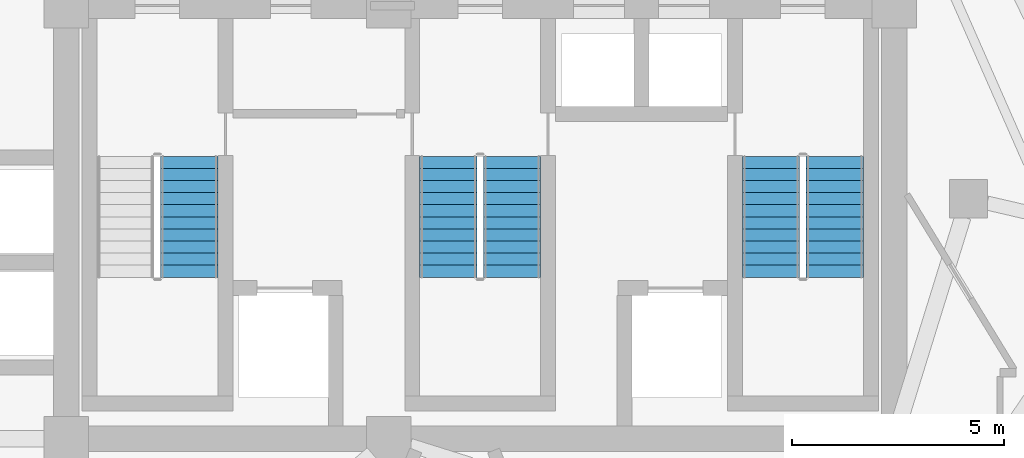
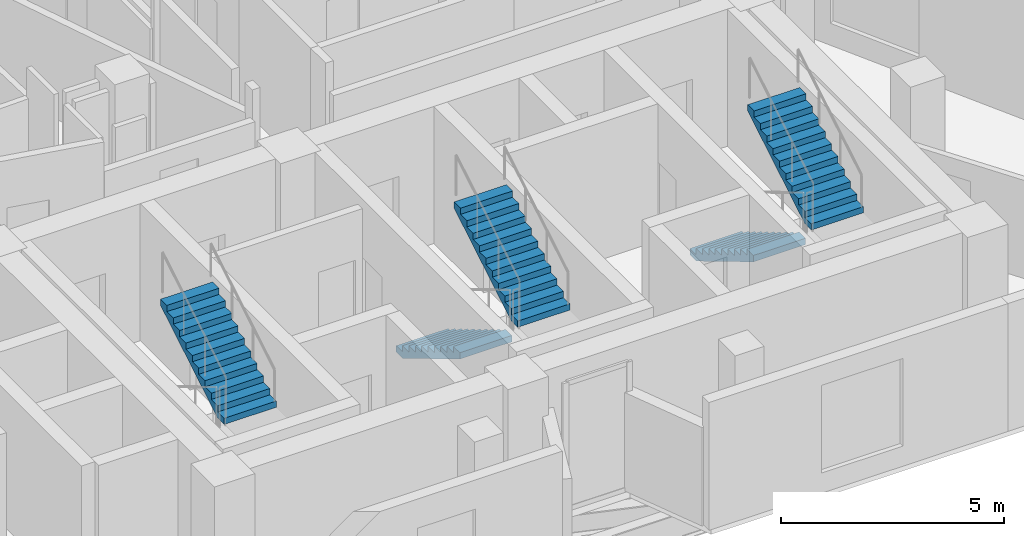
# One storey, part 9 of 10: 5 stair flights, 3 elements without a shape of their own.
"""IFC4 building model written with IfcOpenShell, lengths in metres."""

from ifc_helpers import new_model, si_unit, direction, frame, origin, place, context, subcontext, project, spatial, polyline, outline, extrude, material, type_object, element, aggregate, save


model = new_model("IFC4")

# Units and contexts
model_context = context("Model", 3, precision=1e-05, world=origin(), true_north=direction((0.0, 1.0)))
body_context = subcontext(model_context, "Body", "Model", "MODEL_VIEW")
ifc_project = project(units=[si_unit("LENGTHUNIT", "METRE"), si_unit("AREAUNIT", "SQUARE_METRE"), si_unit("VOLUMEUNIT", "CUBIC_METRE"), si_unit("PLANEANGLEUNIT", "RADIAN"), si_unit("MASSUNIT", "GRAM", prefix="KILO")], contexts=[model_context])

# Site, building, storey
site_placement = place(None, origin())
site = spatial("IfcSite", under=ifc_project, at=site_placement, CompositionType="ELEMENT")
building_placement = place(site_placement, origin())
building = spatial("IfcBuilding", under=site, at=building_placement, Name="Almagre Mirador Tower", CompositionType="ELEMENT")
storey_placement = place(building_placement, frame((0.0, 0.0, 278.25)))
storey = spatial("IfcBuildingStorey", under=building, at=storey_placement, Name="L72", CompositionType="ELEMENT", Elevation=278.25)

# Stair, stair flight
ifc_material_1 = material(Name="Concrete C45/55", Category="concrete")
stair_type = type_object("IfcStairType", Name="STR-DL-3750", PredefinedType="HALF_TURN_STAIR", material=ifc_material_1)
stair_1_placement = place(storey_placement, origin())
stair_1 = element("IfcStair", 1, at=stair_1_placement, inside=storey, type_object=stair_type, Name="L72 Protected exit stair ST-1", PredefinedType="HALF_TURN_STAIR")
ifc_material_2 = material(Name="Concrete C45/55", Category="concrete")
stair_flight_type = type_object("IfcStairFlightType", Name="FLT-DL-3750", PredefinedType="STRAIGHT", material=ifc_material_2)
stair_flight_1_placement = place(storey_placement, frame((30.449951171875, 8.35009765625, 1.875), z_axis=(0.0, 0.0, 1.0), x_axis=(0.0, 1.0, 0.0)))
stair_flight_1 = element("IfcStairFlight", 2, at=stair_flight_1_placement, type_object=stair_flight_type, Name="ST-1 flight 2", NumberOfRisers=11, NumberOfTreads=10, PredefinedType="STRAIGHT", RiserHeight=0.170454545, TreadLength=0.285, context=body_context, shape_type="SweptSolid", body=[
    extrude(outline(polyline([(0.0, 0.0), (0.0, 0.17041015625), (0.284912109375, 0.17041015625), (0.284912109375, 0.3408203125), (0.570068359375, 0.3408203125), (0.570068359375, 0.511474609375), (0.85498046875, 0.511474609375), (0.85498046875, 0.681884765625), (1.139892578125, 0.681884765625), (1.139892578125, 0.852294921875), (1.425048828125, 0.852294921875), (1.425048828125, 1.022705078125), (1.7099609375, 1.022705078125), (1.7099609375, 1.193115234375), (1.9951171875, 1.193115234375), (1.9951171875, 1.363525390625), (2.280029296875, 1.363525390625), (2.280029296875, 1.5341796875), (2.56494140625, 1.5341796875), (2.56494140625, 1.70458984375), (2.85009765625, 1.70458984375), (2.85009765625, 1.875), (2.85009765625, 1.52978515625), (0.2919921875, 0.0), (0.0, 0.0)])), frame((0.0, 0.675048828125, 0.0), z_axis=(0.0, -1.0, 0.0), x_axis=(1.0, 0.0, 0.0)), (0.0, 0.0, 1.0), 1.35009765625),
])
aggregate(stair_1, [stair_flight_1])

# Stair, stair flights
stair_2_placement = place(storey_placement, origin())
stair_2 = element("IfcStair", 3, at=stair_2_placement, inside=storey, type_object=stair_type, Name="L72 Protected exit stair ST-2", PredefinedType="HALF_TURN_STAIR")
stair_flight_2_placement = place(storey_placement, frame((36.550048828125, 11.199951171875, 0.0), z_axis=(0.0, 0.0, 1.0), x_axis=(0.0, -1.0, 0.0)))
stair_flight_2 = element("IfcStairFlight", 4, at=stair_flight_2_placement, type_object=stair_flight_type, Name="ST-2 flight 1", NumberOfRisers=11, NumberOfTreads=10, PredefinedType="STRAIGHT", RiserHeight=0.170454545, TreadLength=0.285, context=body_context, shape_type="SweptSolid", body=[
    extrude(outline(polyline([(0.0, 0.0), (0.0, 0.17041015625), (0.284912109375, 0.17041015625), (0.284912109375, 0.3408203125), (0.570068359375, 0.3408203125), (0.570068359375, 0.511474609375), (0.85498046875, 0.511474609375), (0.85498046875, 0.681884765625), (1.139892578125, 0.681884765625), (1.139892578125, 0.852294921875), (1.425048828125, 0.852294921875), (1.425048828125, 1.022705078125), (1.7099609375, 1.022705078125), (1.7099609375, 1.193115234375), (1.9951171875, 1.193115234375), (1.9951171875, 1.363525390625), (2.280029296875, 1.363525390625), (2.280029296875, 1.5341796875), (2.56494140625, 1.5341796875), (2.56494140625, 1.70458984375), (2.85009765625, 1.70458984375), (2.85009765625, 1.875), (2.85009765625, 1.52978515625), (0.2919921875, 0.0), (0.0, 0.0)])), frame((0.0, 0.675048828125, 0.0), z_axis=(0.0, -1.0, 0.0), x_axis=(1.0, 0.0, 0.0)), (0.0, 0.0, 1.0), 1.35009765625),
])
stair_flight_3_placement = place(storey_placement, frame((38.050048828125, 8.35009765625, 1.875), z_axis=(0.0, 0.0, 1.0), x_axis=(0.0, 1.0, 0.0)))
stair_flight_3 = element("IfcStairFlight", 5, at=stair_flight_3_placement, type_object=stair_flight_type, Name="ST-2 flight 2", NumberOfRisers=11, NumberOfTreads=10, PredefinedType="STRAIGHT", RiserHeight=0.170454545, TreadLength=0.285, context=body_context, shape_type="SweptSolid", body=[
    extrude(outline(polyline([(0.0, 0.0), (0.0, 0.17041015625), (0.284912109375, 0.17041015625), (0.284912109375, 0.3408203125), (0.570068359375, 0.3408203125), (0.570068359375, 0.511474609375), (0.85498046875, 0.511474609375), (0.85498046875, 0.681884765625), (1.139892578125, 0.681884765625), (1.139892578125, 0.852294921875), (1.425048828125, 0.852294921875), (1.425048828125, 1.022705078125), (1.7099609375, 1.022705078125), (1.7099609375, 1.193115234375), (1.9951171875, 1.193115234375), (1.9951171875, 1.363525390625), (2.280029296875, 1.363525390625), (2.280029296875, 1.5341796875), (2.56494140625, 1.5341796875), (2.56494140625, 1.70458984375), (2.85009765625, 1.70458984375), (2.85009765625, 1.875), (2.85009765625, 1.52978515625), (0.2919921875, 0.0), (0.0, 0.0)])), frame((0.0, 0.675048828125, 0.0), z_axis=(0.0, -1.0, 0.0), x_axis=(1.0, 0.0, 0.0)), (0.0, 0.0, 1.0), 1.35009765625),
])
aggregate(stair_2, [stair_flight_2, stair_flight_3])

stair_3_placement = place(storey_placement, origin())
stair_3 = element("IfcStair", 6, at=stair_3_placement, inside=storey, type_object=stair_type, Name="L72 Protected exit stair ST-3", PredefinedType="HALF_TURN_STAIR")
stair_flight_4_placement = place(storey_placement, frame((44.14990234375, 11.199951171875, 0.0), z_axis=(0.0, 0.0, 1.0), x_axis=(0.0, -1.0, 0.0)))
stair_flight_4 = element("IfcStairFlight", 7, at=stair_flight_4_placement, type_object=stair_flight_type, Name="ST-3 flight 1", NumberOfRisers=11, NumberOfTreads=10, PredefinedType="STRAIGHT", RiserHeight=0.170454545, TreadLength=0.285, context=body_context, shape_type="SweptSolid", body=[
    extrude(outline(polyline([(0.0, 0.0), (0.0, 0.17041015625), (0.284912109375, 0.17041015625), (0.284912109375, 0.3408203125), (0.570068359375, 0.3408203125), (0.570068359375, 0.511474609375), (0.85498046875, 0.511474609375), (0.85498046875, 0.681884765625), (1.139892578125, 0.681884765625), (1.139892578125, 0.852294921875), (1.425048828125, 0.852294921875), (1.425048828125, 1.022705078125), (1.7099609375, 1.022705078125), (1.7099609375, 1.193115234375), (1.9951171875, 1.193115234375), (1.9951171875, 1.363525390625), (2.280029296875, 1.363525390625), (2.280029296875, 1.5341796875), (2.56494140625, 1.5341796875), (2.56494140625, 1.70458984375), (2.85009765625, 1.70458984375), (2.85009765625, 1.875), (2.85009765625, 1.52978515625), (0.2919921875, 0.0), (0.0, 0.0)])), frame((0.0, 0.675048828125, 0.0), z_axis=(0.0, -1.0, 0.0), x_axis=(1.0, 0.0, 0.0)), (0.0, 0.0, 1.0), 1.35009765625),
])
stair_flight_5_placement = place(storey_placement, frame((45.64990234375, 8.35009765625, 1.875), z_axis=(0.0, 0.0, 1.0), x_axis=(0.0, 1.0, 0.0)))
stair_flight_5 = element("IfcStairFlight", 8, at=stair_flight_5_placement, type_object=stair_flight_type, Name="ST-3 flight 2", NumberOfRisers=11, NumberOfTreads=10, PredefinedType="STRAIGHT", RiserHeight=0.170454545, TreadLength=0.285, context=body_context, shape_type="SweptSolid", body=[
    extrude(outline(polyline([(0.0, 0.0), (0.0, 0.17041015625), (0.284912109375, 0.17041015625), (0.284912109375, 0.3408203125), (0.570068359375, 0.3408203125), (0.570068359375, 0.511474609375), (0.85498046875, 0.511474609375), (0.85498046875, 0.681884765625), (1.139892578125, 0.681884765625), (1.139892578125, 0.852294921875), (1.425048828125, 0.852294921875), (1.425048828125, 1.022705078125), (1.7099609375, 1.022705078125), (1.7099609375, 1.193115234375), (1.9951171875, 1.193115234375), (1.9951171875, 1.363525390625), (2.280029296875, 1.363525390625), (2.280029296875, 1.5341796875), (2.56494140625, 1.5341796875), (2.56494140625, 1.70458984375), (2.85009765625, 1.70458984375), (2.85009765625, 1.875), (2.85009765625, 1.52978515625), (0.2919921875, 0.0), (0.0, 0.0)])), frame((0.0, 0.675048828125, 0.0), z_axis=(0.0, -1.0, 0.0), x_axis=(1.0, 0.0, 0.0)), (0.0, 0.0, 1.0), 1.35009765625),
])
aggregate(stair_3, [stair_flight_4, stair_flight_5])

save(model, "model.ifc")
